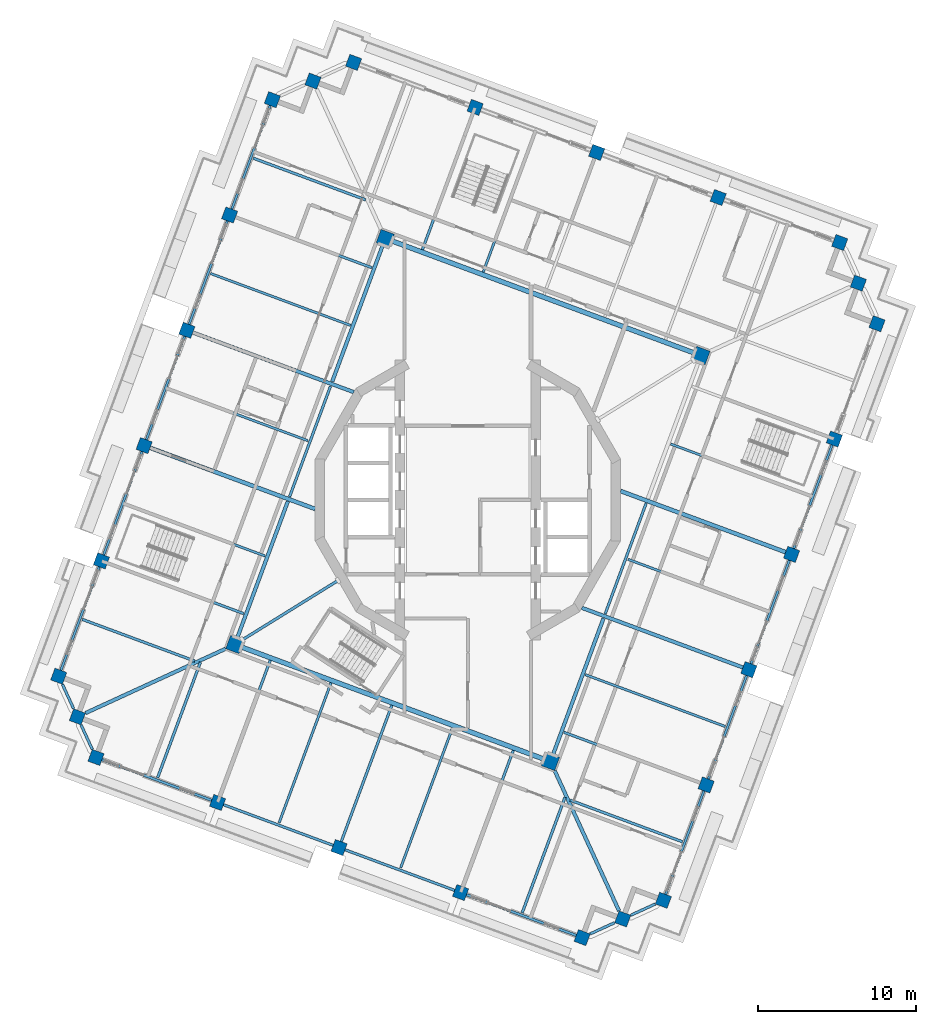
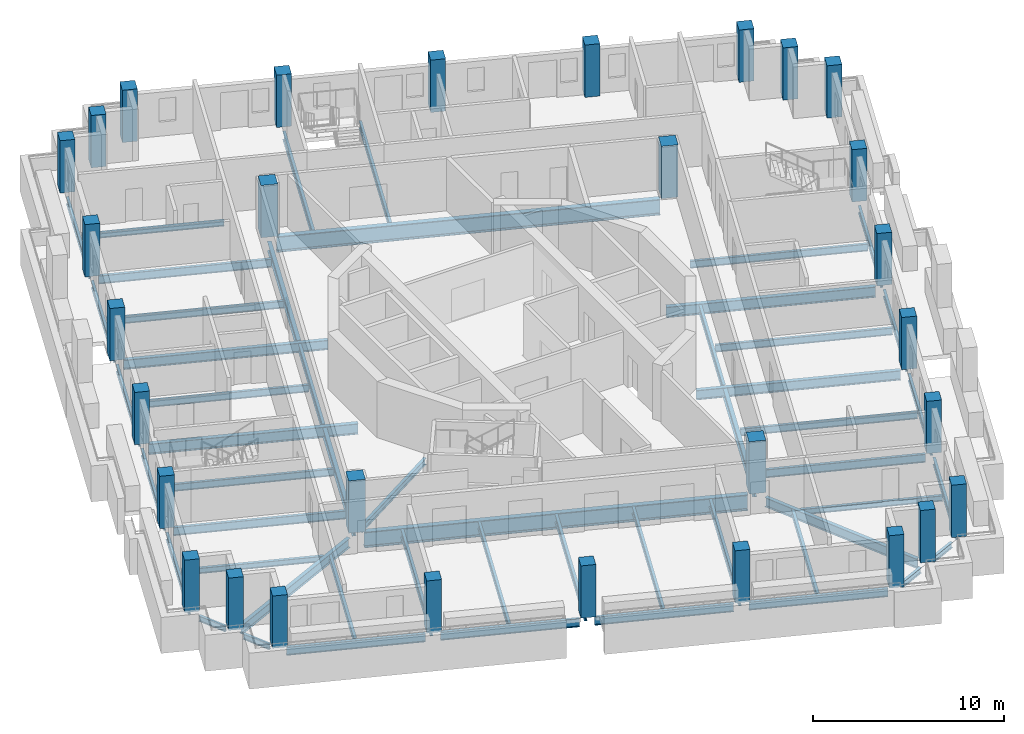
# One storey, part 1 of 18: 52 beams, 30 columns.
"""IFC4 building model written with IfcOpenShell, lengths in metres."""

from ifc_helpers import new_model, si_unit, direction, frame, origin, origin_2d, place, context, subcontext, project, spatial, rectangle, i_section, extrude, material, material_profile, profile_set, type_object, element, save


model = new_model("IFC4")

# Units and contexts
model_context = context("Model", 3, precision=1e-05, world=origin(), true_north=direction((0.0, 1.0)))
body_context = subcontext(model_context, "Body", "Model", "MODEL_VIEW")
ifc_project = project(units=[si_unit("LENGTHUNIT", "METRE"), si_unit("AREAUNIT", "SQUARE_METRE"), si_unit("VOLUMEUNIT", "CUBIC_METRE"), si_unit("PLANEANGLEUNIT", "RADIAN"), si_unit("MASSUNIT", "GRAM", prefix="KILO")], contexts=[model_context])

# Site, building, storey
site_placement = place(None, origin())
site = spatial("IfcSite", under=ifc_project, at=site_placement, CompositionType="ELEMENT")
building_placement = place(site_placement, origin())
building = spatial("IfcBuilding", under=site, at=building_placement, Name="Cantera Rosa Tower", CompositionType="ELEMENT")
storey_placement = place(building_placement, frame((0.0, 0.0, 316.89990234375)))
storey = spatial("IfcBuildingStorey", under=building, at=storey_placement, Name="L70", CompositionType="ELEMENT", Elevation=316.89990234375)

# Columns
ifc_material_1 = material(Name="Concrete C50/60", Category="concrete")
ifc_material_profile_1 = material_profile(ifc_material_1, rectangle(XDim=0.800048828125, YDim=0.800048828125, at=origin_2d()), Name="RC COLUMN RC800X800 C50/60")
ifc_profile_set_1 = profile_set([ifc_material_profile_1], Name="Concrete C50/60")
column_type_1 = type_object("IfcColumnType", Name="RC COLUMN RC800X800 C50/60", PredefinedType="COLUMN", material=ifc_profile_set_1)
for number, where, z_axis, x_axis, name in (
    (1, (23.526611328125, 16.2900390625, 0.0), (0.0, 0.0, 1.0), (0.347481234489, 0.937686936924, 0.0), "C-Z6-01 L70"),
    (2, (15.83740234375, 19.139404296875, 0.0), (0.0, 0.0, 1.0), (0.347481234489, 0.937686936924, 0.0), "C-Z6-02 L70"),
    (3, (8.1484375, 21.98876953125, 0.0), (0.0, 0.0, 1.0), (0.347481234489, 0.937686936924, 0.0), "C-Z6-03 L70"),
    (4, (0.45947265625, 24.838134765625, 0.0), (0.0, 0.0, 1.0), (0.347481234489, 0.937686936924, 0.0), "C-Z6-04 L70"),
    (5, (-7.229736328125, 27.6875, 0.0), (0.0, 0.0, 1.0), (0.347481234489, 0.937686936924, 0.0), "C-Z6-05 L70"),
    (6, (-9.800048828125, 26.507080078125, 0.0), (0.0, 0.0, 1.0), (0.347481234489, 0.937686936924, 0.0), "C-Z6-06 L70"),
    (7, (-12.370361328125, 25.32666015625, 0.0), (0.0, 0.0, 1.0), (0.347481234489, 0.937686936924, 0.0), "C-Z6-07 L70"),
    (8, (-15.07373046875, 18.031494140625, 0.0), (0.0, 0.0, 1.0), (0.347481234489, 0.937686936924, 0.0), "C-Z6-08 L70"),
    (9, (-17.777099609375, 10.736328125, 0.0), (0.0, 0.0, 1.0), (0.347481234489, 0.937686936924, 0.0), "C-Z6-09 L70"),
    (10, (-20.48046875, 3.44091796875, 0.0), (0.0, 0.0, 1.0), (0.347481234489, 0.937686936924, 0.0), "C-Z6-10 L70"),
    (11, (-23.183837890625, -3.854248046875, 0.0), (0.0, 0.0, 1.0), (0.347481234489, 0.937686936924, 0.0), "C-Z6-11 L70"),
    (12, (-25.88720703125, -11.1494140625, 0.0), (0.0, 0.0, 1.0), (0.347481234489, 0.937686936924, 0.0), "C-Z6-12 L70"),
    (13, (-24.70703125, -13.7197265625, 0.0), (0.0, 0.0, 1.0), (0.347481234489, 0.937686936924, 0.0), "C-Z6-13 L70"),
    (14, (-23.526611328125, -16.2900390625, 0.0), (0.0, 0.0, 1.0), (0.347481234489, 0.937686936924, 0.0), "C-Z6-14 L70"),
    (15, (-15.83740234375, -19.139404296875, 0.0), (0.0, 0.0, 1.0), (0.347481234489, 0.937686936924, 0.0), "C-Z6-15 L70"),
    (16, (-8.1484375, -21.98876953125, 0.0), (0.0, 0.0, 1.0), (0.347481234489, 0.937686936924, 0.0), "C-Z6-16 L70"),
    (17, (-0.45947265625, -24.838134765625, 0.0), (0.0, 0.0, 1.0), (0.347481234489, 0.937686936924, 0.0), "C-Z6-17 L70"),
    (18, (7.229736328125, -27.6875, 0.0), (0.0, 0.0, 1.0), (0.347481234489, 0.937686936924, 0.0), "C-Z6-18 L70"),
    (19, (9.800048828125, -26.507080078125, 0.0), (0.0, 0.0, 1.0), (0.347481234489, 0.937686936924, 0.0), "C-Z6-19 L70"),
    (20, (12.370361328125, -25.32666015625, 0.0), (0.0, 0.0, 1.0), (0.347481234489, 0.937686936924, 0.0), "C-Z6-20 L70"),
    (21, (15.07373046875, -18.031494140625, 0.0), (0.0, 0.0, 1.0), (0.347481234489, 0.937686936924, 0.0), "C-Z6-21 L70"),
    (22, (17.777099609375, -10.736328125, 0.0), (0.0, 0.0, 1.0), (0.347481234489, 0.937686936924, 0.0), "C-Z6-22 L70"),
    (23, (20.48046875, -3.44091796875, 0.0), (0.0, 0.0, 1.0), (0.347481234489, 0.937686936924, 0.0), "C-Z6-23 L70"),
    (24, (23.183837890625, 3.854248046875, 0.0), (0.0, 0.0, 1.0), (0.347481234489, 0.937686936924, 0.0), "C-Z6-24 L70"),
    (25, (25.88720703125, 11.1494140625, 0.0), (0.0, 0.0, 1.0), (0.347481234489, 0.937686936924, 0.0), "C-Z6-25 L70"),
    (26, (24.70703125, 13.7197265625, 0.0), (0.0, 0.0, 1.0), (0.347481234489, 0.937686936924, 0.0), "C-Z6-26 L70"),
):
    element("IfcColumn", number, at=place(storey_placement, frame(where, z_axis=z_axis, x_axis=x_axis)), inside=storey, type_object=column_type_1, Name=name, PredefinedType="COLUMN", context=body_context, shape_type="SweptSolid", body=[
        extrude(rectangle(XDim=0.800048828125, YDim=0.800048828125, at=origin_2d()), origin(), (0.0, 0.0, 1.0), 3.35009765625),
    ])
ifc_material_2 = material(Name="Concrete C50/60", Category="concrete")
ifc_material_profile_2 = material_profile(ifc_material_2, rectangle(XDim=0.89990234375, YDim=0.89990234375, at=origin_2d()), Name="RC RING COLUMN RC900X900 C50/60")
ifc_profile_set_2 = profile_set([ifc_material_profile_2], Name="Concrete C50/60")
column_type_2 = type_object("IfcColumnType", Name="RC RING COLUMN RC900X900 C50/60", PredefinedType="COLUMN", material=ifc_profile_set_2)
for number, where, z_axis, x_axis, name in (
    (27, (-5.225830078125, 16.546875, 0.0), (0.0, 0.0, 1.0), (0.347481234489, 0.937686936924, 0.0), "CI-Z6-1 L70"),
    (28, (-14.746826171875, -9.145751953125, 0.0), (0.0, 0.0, 1.0), (0.347481234489, 0.937686936924, 0.0), "CI-Z6-2 L70"),
    (29, (5.225830078125, -16.546875, 0.0), (0.0, 0.0, 1.0), (0.347481234489, 0.937686936924, 0.0), "CI-Z6-3 L70"),
    (30, (14.746826171875, 9.145751953125, 0.0), (0.0, 0.0, 1.0), (0.347481234489, 0.937686936924, 0.0), "CI-Z6-4 L70"),
):
    element("IfcColumn", number, at=place(storey_placement, frame(where, z_axis=z_axis, x_axis=x_axis)), inside=storey, type_object=column_type_2, Name=name, PredefinedType="COLUMN", context=body_context, shape_type="SweptSolid", body=[
        extrude(rectangle(XDim=0.89990234375, YDim=0.89990234375, at=origin_2d()), origin(), (0.0, 0.0, 1.0), 3.35009765625),
    ])

# Beams
ifc_material_3 = material(Name="Steel ASTM A992 (Fy 345 MPa)", Category="steel")
ifc_material_profile_3 = material_profile(ifc_material_3, i_section(OverallWidth=0.302001953125, OverallDepth=1.010009765625, WebThickness=0.02099609375, FlangeThickness=0.0400390625, FilletRadius=0.030029296875, at=origin_2d()), Name="W1000X350")
ifc_profile_set_3 = profile_set([ifc_material_profile_3], Name="Steel ASTM A992 (Fy 345 MPa)")
beam_type_1 = type_object("IfcBeamType", Name="STEEL BEAM W1000X350", PredefinedType="BEAM", material=ifc_profile_set_3)
for number, where, z_axis, x_axis, name in (
    (31, (14.324951171875, 9.302001953125, -0.7548828125), (-0.937687392162, 0.347480006017, 0.0), (-0.347480006017, -0.937687392162, 0.0), "RB-Z6-07 L70"),
    (32, (4.803955078125, -16.390625, -0.7548828125), (-0.937687392162, 0.347480006017, 0.0), (-0.347480006017, -0.937687392162, 0.0), "RB-Z6-08 L70"),
):
    element("IfcBeam", number, at=place(storey_placement, frame(where, z_axis=z_axis, x_axis=x_axis)), inside=storey, type_object=beam_type_1, Name=name, PredefinedType="BEAM", context=body_context, shape_type="SweptSolid", body=[
        extrude(i_section(OverallWidth=0.302001953125, OverallDepth=1.010009765625, WebThickness=0.02099609375, FlangeThickness=0.0400390625, FilletRadius=0.030029296875, at=origin_2d()), origin(), (0.0, 0.0, 1.0), 20.400146484375),
    ])
ifc_material_4 = material(Name="Steel ASTM A992 (Fy 345 MPa)", Category="steel")
ifc_material_profile_4 = material_profile(ifc_material_4, i_section(OverallWidth=0.177978515625, OverallDepth=0.406005859375, WebThickness=0.0078125, FlangeThickness=0.0126953125, FilletRadius=0.01025390625, at=origin_2d()), Name="W410X60")
ifc_profile_set_4 = profile_set([ifc_material_profile_4], Name="Steel ASTM A992 (Fy 345 MPa)")
beam_type_2 = type_object("IfcBeamType", Name="STEEL BEAM W410X60", PredefinedType="BEAM", material=ifc_profile_set_4)
beam_1_placement = place(storey_placement, frame((-14.262451171875, -8.84521484375, -0.452880859375), z_axis=(0.849840939707, 0.527039255841, 0.0), x_axis=(-0.527039255841, 0.849840939707, 0.0)))
element("IfcBeam", 33, at=beam_1_placement, inside=storey, type_object=beam_type_2, Name="PG-Z6-01 L70", PredefinedType="BEAM", context=body_context, shape_type="SweptSolid", body=[
    extrude(i_section(OverallWidth=0.177978515625, OverallDepth=0.406005859375, WebThickness=0.0078125, FlangeThickness=0.0126953125, FilletRadius=0.01025390625, at=origin_2d()), origin(), (0.0, 0.0, 1.0), 7.118408203125),
])
ifc_material_5 = material(Name="Steel ASTM A992 (Fy 345 MPa)", Category="steel")
ifc_material_profile_5 = material_profile(ifc_material_5, i_section(OverallWidth=0.166015625, OverallDepth=0.528076171875, WebThickness=0.009765625, FlangeThickness=0.013671875, FilletRadius=0.0126953125, at=origin_2d()), Name="W530X74")
ifc_profile_set_5 = profile_set([ifc_material_profile_5], Name="Steel ASTM A992 (Fy 345 MPa)")
beam_type_3 = type_object("IfcBeamType", Name="STEEL BEAM W530X74", PredefinedType="BEAM", material=ifc_profile_set_5)
for number, where, z_axis, x_axis, name in (
    (34, (0.3203125, 24.463134765625, -0.513916015625), (-0.347476838353, -0.937688566, 0.0), (0.937688566, -0.347476838353, 0.0), "G-Z6-03 L70"),
    (35, (-14.69873046875, 17.892333984375, -0.513916015625), (0.937688566, -0.347476838353, 0.0), (0.347476838353, 0.937688566, 0.0), "G-Z6-04 L70"),
    (36, (-22.808837890625, -3.9931640625, -0.513916015625), (0.937688566, -0.347476838353, 0.0), (0.347476838353, 0.937688566, 0.0), "G-Z6-07 L70"),
    (37, (14.69873046875, -17.892333984375, -0.513916015625), (-0.937688566, 0.347476838353, 0.0), (-0.347476838353, -0.937688566, 0.0), "G-Z6-08 L70"),
    (38, (-15.698486328125, -18.764404296875, -0.513916015625), (0.347476838353, 0.937688566, 0.0), (-0.937688566, 0.347476838353, 0.0), "G-Z6-12 L70"),
    (39, (-8.009521484375, -21.61376953125, -0.513916015625), (0.34750017104, 0.937679919337, 0.0), (-0.937679919337, 0.34750017104, 0.0), "G-Z6-13 L70"),
    (40, (-0.3203125, -24.463134765625, -0.513916015625), (0.347476838353, 0.937688566, 0.0), (-0.937688566, 0.347476838353, 0.0), "G-Z6-14 L70"),
):
    element("IfcBeam", number, at=place(storey_placement, frame(where, z_axis=z_axis, x_axis=x_axis)), inside=storey, type_object=beam_type_3, Name=name, PredefinedType="BEAM", context=body_context, shape_type="SweptSolid", body=[
        extrude(i_section(OverallWidth=0.166015625, OverallDepth=0.528076171875, WebThickness=0.009765625, FlangeThickness=0.013671875, FilletRadius=0.0126953125, at=origin_2d()), origin(), (0.0, 0.0, 1.0), 9.199951171875),
    ])
for number, where, z_axis, x_axis, name in (
    (41, (-11.285888671875, 0.19384765625, -0.513916015625), (0.347486566882, 0.937684960867, 0.0), (-0.937684960867, 0.347486566882, 0.0), "RB-Z6-02 L70"),
    (42, (8.686767578125, -7.20751953125, -0.513916015625), (0.347486566882, 0.937684960867, 0.0), (-0.937684960867, 0.347486566882, 0.0), "RB-Z6-05 L70"),
):
    element("IfcBeam", number, at=place(storey_placement, frame(where, z_axis=z_axis, x_axis=x_axis)), inside=storey, type_object=beam_type_3, Name=name, PredefinedType="BEAM", context=body_context, shape_type="SweptSolid", body=[
        extrude(i_section(OverallWidth=0.166015625, OverallDepth=0.528076171875, WebThickness=0.009765625, FlangeThickness=0.013671875, FilletRadius=0.0126953125, at=origin_2d()), origin(), (0.0, 0.0, 1.0), 7.479736328125),
    ])
ifc_material_6 = material(Name="Steel ASTM A992 (Fy 345 MPa)", Category="steel")
ifc_material_profile_6 = material_profile(ifc_material_6, i_section(OverallWidth=0.22802734375, OverallDepth=0.60205078125, WebThickness=0.010498046875, FlangeThickness=0.014892578125, FilletRadius=0.0126953125, at=origin_2d()), Name="W610X101")
ifc_profile_set_6 = profile_set([ifc_material_profile_6], Name="Steel ASTM A992 (Fy 345 MPa)")
beam_type_4 = type_object("IfcBeamType", Name="STEEL BEAM W610X101", PredefinedType="BEAM", material=ifc_profile_set_6)
for number, where, z_axis, x_axis, name in (
    (43, (-24.19287109375, -13.483642578125, -0.55078125), (0.908747889595, 0.417345508131, 0.0), (-0.417345508131, 0.908747889595, 0.0), "CB-Z6-02 L70"),
    (44, (9.56396484375, -25.992919921875, -0.55078125), (-0.417345508131, 0.908747889595, 0.0), (-0.908747889595, -0.417345508131, 0.0), "CB-Z6-03 L70"),
):
    element("IfcBeam", number, at=place(storey_placement, frame(where, z_axis=z_axis, x_axis=x_axis)), inside=storey, type_object=beam_type_4, Name=name, PredefinedType="BEAM", context=body_context, shape_type="SweptSolid", body=[
        extrude(i_section(OverallWidth=0.22802734375, OverallDepth=0.60205078125, WebThickness=0.010498046875, FlangeThickness=0.014892578125, FilletRadius=0.0126953125, at=origin_2d()), origin(), (0.0, 0.0, 1.0), 9.758056640625),
    ])
for number, where, z_axis, x_axis, name in (
    (45, (-14.590576171875, -8.7236328125, -0.55078125), (0.347498244979, 0.937680633125, 0.0), (-0.937680633125, 0.347498244979, 0.0), "RB-Z6-01 L70"),
    (46, (-8.58251953125, 7.489013671875, -0.55078125), (0.347474937304, 0.937689270465, 0.0), (-0.937689270465, 0.347474937304, 0.0), "RB-Z6-03 L70"),
    (47, (5.38232421875, -16.125, -0.55078125), (0.347474937304, 0.937689270465, 0.0), (-0.937689270465, 0.347474937304, 0.0), "RB-Z6-04 L70"),
):
    element("IfcBeam", number, at=place(storey_placement, frame(where, z_axis=z_axis, x_axis=x_axis)), inside=storey, type_object=beam_type_4, Name=name, PredefinedType="BEAM", context=body_context, shape_type="SweptSolid", body=[
        extrude(i_section(OverallWidth=0.22802734375, OverallDepth=0.60205078125, WebThickness=0.010498046875, FlangeThickness=0.014892578125, FilletRadius=0.0126953125, at=origin_2d()), origin(), (0.0, 0.0, 1.0), 9.2099609375),
    ])
ifc_material_7 = material(Name="Steel ASTM A992 (Fy 345 MPa)", Category="steel")
ifc_material_profile_7 = material_profile(ifc_material_7, i_section(OverallWidth=0.22900390625, OverallDepth=0.612060546875, WebThickness=0.011962890625, FlangeThickness=0.01953125, FilletRadius=0.0126953125, at=origin_2d()), Name="W610X125")
ifc_profile_set_7 = profile_set([ifc_material_profile_7], Name="Steel ASTM A992 (Fy 345 MPa)")
beam_type_5 = type_object("IfcBeamType", Name="STEEL BEAM W610X125", PredefinedType="BEAM", material=ifc_profile_set_7)
for number, where, z_axis, x_axis, name in (
    (48, (-17.402099609375, 10.59716796875, -0.555908203125), (0.937686127687, -0.347483418229, 0.0), (0.347483418229, 0.937686127687, 0.0), "G-Z6-05 L70"),
    (49, (17.402099609375, -10.59716796875, -0.555908203125), (-0.937686127687, 0.347483418229, 0.0), (-0.347483418229, -0.937686127687, 0.0), "G-Z6-09 L70"),
):
    element("IfcBeam", number, at=place(storey_placement, frame(where, z_axis=z_axis, x_axis=x_axis)), inside=storey, type_object=beam_type_5, Name=name, PredefinedType="BEAM", context=body_context, shape_type="SweptSolid", body=[
        extrude(i_section(OverallWidth=0.22900390625, OverallDepth=0.612060546875, WebThickness=0.011962890625, FlangeThickness=0.01953125, FilletRadius=0.0126953125, at=origin_2d()), origin(), (0.0, 0.0, 1.0), 10.8642578125),
    ])
ifc_material_8 = material(Name="Steel ASTM A992 (Fy 345 MPa)", Category="steel")
ifc_material_profile_8 = material_profile(ifc_material_8, i_section(OverallWidth=0.25390625, OverallDepth=0.677978515625, WebThickness=0.01171875, FlangeThickness=0.016357421875, FilletRadius=0.01513671875, at=origin_2d()), Name="W690X125")
ifc_profile_set_8 = profile_set([ifc_material_profile_8], Name="Steel ASTM A992 (Fy 345 MPa)")
beam_type_6 = type_object("IfcBeamType", Name="STEEL BEAM W690X125", PredefinedType="BEAM", material=ifc_profile_set_8)
for number, where, z_axis, x_axis, name in (
    (50, (-20.10546875, 3.302001953125, -0.5888671875), (0.937687416585, -0.347479940109, 0.0), (0.347479940109, 0.937687416585, 0.0), "G-Z6-06 L70"),
    (51, (20.10546875, -3.302001953125, -0.5888671875), (-0.937687416585, 0.347479940109, 0.0), (-0.347479940109, -0.937687416585, 0.0), "G-Z6-10 L70"),
):
    element("IfcBeam", number, at=place(storey_placement, frame(where, z_axis=z_axis, x_axis=x_axis)), inside=storey, type_object=beam_type_6, Name=name, PredefinedType="BEAM", context=body_context, shape_type="SweptSolid", body=[
        extrude(i_section(OverallWidth=0.25390625, OverallDepth=0.677978515625, WebThickness=0.01171875, FlangeThickness=0.016357421875, FilletRadius=0.01513671875, at=origin_2d()), origin(), (0.0, 0.0, 1.0), 11.140380859375),
    ])
ifc_material_9 = material(Name="Steel ASTM A992 (Fy 345 MPa)", Category="steel")
ifc_material_profile_9 = material_profile(ifc_material_9, i_section(OverallWidth=0.1708984375, OverallDepth=0.35595703125, WebThickness=0.00732421875, FlangeThickness=0.01171875, FilletRadius=0.010009765625, at=origin_2d()), Name="W360X51")
ifc_profile_set_9 = profile_set([ifc_material_profile_9], Name="Steel ASTM A992 (Fy 345 MPa)")
beam_type_7 = type_object("IfcBeamType", Name="STEEL JOIST W360X51", PredefinedType="JOIST", material=ifc_profile_set_9)
beam_2_placement = place(storey_placement, frame((-13.581298828125, 21.626953125, -0.427978515625), z_axis=(0.93768239316, -0.347493495705, 0.0), x_axis=(0.347493495705, 0.93768239316, 0.0)))
element("IfcBeam", 52, at=beam_2_placement, inside=storey, type_object=beam_type_7, Name="B-Z6-05 L70", PredefinedType="JOIST", context=body_context, shape_type="SweptSolid", body=[
    extrude(i_section(OverallWidth=0.1708984375, OverallDepth=0.35595703125, WebThickness=0.00732421875, FlangeThickness=0.01171875, FilletRadius=0.010009765625, at=origin_2d()), origin(), (0.0, 0.0, 1.0), 7.58984375),
])
beam_3_placement = place(storey_placement, frame((-24.39501953125, -7.553955078125, -0.427978515625), z_axis=(0.937686277131, -0.347483014951, 0.0), x_axis=(0.347483014951, 0.937686277131, 0.0)))
element("IfcBeam", 53, at=beam_3_placement, inside=storey, type_object=beam_type_7, Name="B-Z6-09 L70", PredefinedType="JOIST", context=body_context, shape_type="SweptSolid", body=[
    extrude(i_section(OverallWidth=0.1708984375, OverallDepth=0.35595703125, WebThickness=0.00732421875, FlangeThickness=0.01171875, FilletRadius=0.010009765625, at=origin_2d()), origin(), (0.0, 0.0, 1.0), 7.590087890625),
])
beam_4_placement = place(storey_placement, frame((13.581298828125, -21.626953125, -0.427978515625), z_axis=(-0.93768239316, 0.347493495705, 0.0), x_axis=(-0.347493495705, -0.93768239316, 0.0)))
element("IfcBeam", 54, at=beam_4_placement, inside=storey, type_object=beam_type_7, Name="B-Z6-10 L70", PredefinedType="JOIST", context=body_context, shape_type="SweptSolid", body=[
    extrude(i_section(OverallWidth=0.1708984375, OverallDepth=0.35595703125, WebThickness=0.00732421875, FlangeThickness=0.01171875, FilletRadius=0.010009765625, at=origin_2d()), origin(), (0.0, 0.0, 1.0), 7.58984375),
])
for number, where, z_axis, x_axis, name in (
    (55, (-19.6298828125, -17.573974609375, -0.427978515625), (0.347491728417, 0.937683048093, 0.0), (-0.937683048093, 0.347491728417, 0.0), "B-Z6-15 L70"),
    (56, (3.437255859375, -26.1220703125, -0.427978515625), (0.347491728417, 0.937683048093, 0.0), (-0.937683048093, 0.347491728417, 0.0), "B-Z6-18 L70"),
):
    element("IfcBeam", number, at=place(storey_placement, frame(where, z_axis=z_axis, x_axis=x_axis)), inside=storey, type_object=beam_type_7, Name=name, PredefinedType="JOIST", context=body_context, shape_type="SweptSolid", body=[
        extrude(i_section(OverallWidth=0.1708984375, OverallDepth=0.35595703125, WebThickness=0.00732421875, FlangeThickness=0.01171875, FilletRadius=0.010009765625, at=origin_2d()), origin(), (0.0, 0.0, 1.0), 7.800048828125),
    ])
ifc_material_10 = material(Name="Steel ASTM A992 (Fy 345 MPa)", Category="steel")
ifc_material_profile_10 = material_profile(ifc_material_10, i_section(OverallWidth=0.154052734375, OverallDepth=0.4599609375, WebThickness=0.009033203125, FlangeThickness=0.015380859375, FilletRadius=0.01025390625, at=origin_2d()), Name="W460X68")
ifc_profile_set_10 = profile_set([ifc_material_profile_10], Name="Steel ASTM A992 (Fy 345 MPa)")
beam_type_8 = type_object("IfcBeamType", Name="STEEL JOIST W460X68", PredefinedType="JOIST", material=ifc_profile_set_10)
for number, where, z_axis, x_axis, name in (
    (57, (4.251708984375, 23.272705078125, -0.47998046875), (-0.347482637031, -0.937686417179, 0.0), (0.937686417179, -0.347482637031, 0.0), "B-Z6-03 L70"),
    (58, (-16.28466796875, 14.331787109375, -0.47998046875), (0.937686417179, -0.347482637031, 0.0), (0.347482637031, 0.937686417179, 0.0), "B-Z6-06 L70"),
):
    element("IfcBeam", number, at=place(storey_placement, frame(where, z_axis=z_axis, x_axis=x_axis)), inside=storey, type_object=beam_type_8, Name=name, PredefinedType="JOIST", context=body_context, shape_type="SweptSolid", body=[
        extrude(i_section(OverallWidth=0.154052734375, OverallDepth=0.4599609375, WebThickness=0.009033203125, FlangeThickness=0.015380859375, FilletRadius=0.01025390625, at=origin_2d()), origin(), (0.0, 0.0, 1.0), 9.449951171875),
    ])
for number, where, z_axis, x_axis, name in (
    (59, (-18.98828125, 7.036376953125, -0.47998046875), (0.937689536508, -0.347474219364, 0.0), (0.347474219364, 0.937689536508, 0.0), "B-Z6-07 L70"),
    (60, (-21.691650390625, -0.2587890625, -0.47998046875), (0.937689536508, -0.347474219364, 0.0), (0.347474219364, 0.937689536508, 0.0), "B-Z6-08 L70"),
):
    element("IfcBeam", number, at=place(storey_placement, frame(where, z_axis=z_axis, x_axis=x_axis)), inside=storey, type_object=beam_type_8, Name=name, PredefinedType="JOIST", context=body_context, shape_type="SweptSolid", body=[
        extrude(i_section(OverallWidth=0.154052734375, OverallDepth=0.4599609375, WebThickness=0.009033203125, FlangeThickness=0.015380859375, FilletRadius=0.01025390625, at=origin_2d()), origin(), (0.0, 0.0, 1.0), 9.4501953125),
    ])
beam_5_placement = place(storey_placement, frame((16.28466796875, -14.331787109375, -0.47998046875), z_axis=(-0.937686417179, 0.347482637031, 0.0), x_axis=(-0.347482637031, -0.937686417179, 0.0)))
element("IfcBeam", 61, at=beam_5_placement, inside=storey, type_object=beam_type_8, Name="B-Z6-11 L70", PredefinedType="JOIST", context=body_context, shape_type="SweptSolid", body=[
    extrude(i_section(OverallWidth=0.154052734375, OverallDepth=0.4599609375, WebThickness=0.009033203125, FlangeThickness=0.015380859375, FilletRadius=0.01025390625, at=origin_2d()), origin(), (0.0, 0.0, 1.0), 9.449951171875),
])
for number, where, z_axis, x_axis, name in (
    (62, (18.98828125, -7.036376953125, -0.47998046875), (-0.937689536508, 0.347474219364, 0.0), (-0.347474219364, -0.937689536508, 0.0), "B-Z6-12 L70"),
    (63, (21.691650390625, 0.2587890625, -0.47998046875), (-0.937689536508, 0.347474219364, 0.0), (-0.347474219364, -0.937689536508, 0.0), "B-Z6-13 L70"),
):
    element("IfcBeam", number, at=place(storey_placement, frame(where, z_axis=z_axis, x_axis=x_axis)), inside=storey, type_object=beam_type_8, Name=name, PredefinedType="JOIST", context=body_context, shape_type="SweptSolid", body=[
        extrude(i_section(OverallWidth=0.154052734375, OverallDepth=0.4599609375, WebThickness=0.009033203125, FlangeThickness=0.015380859375, FilletRadius=0.01025390625, at=origin_2d()), origin(), (0.0, 0.0, 1.0), 9.4501953125),
    ])
for number, where, z_axis, x_axis, name in (
    (64, (-11.94091796875, -20.42333984375, -0.47998046875), (0.347482637031, 0.937686417179, 0.0), (-0.937686417179, 0.347482637031, 0.0), "B-Z6-16 L70"),
    (65, (-4.251708984375, -23.272705078125, -0.47998046875), (0.347482637031, 0.937686417179, 0.0), (-0.937686417179, 0.347482637031, 0.0), "B-Z6-17 L70"),
):
    element("IfcBeam", number, at=place(storey_placement, frame(where, z_axis=z_axis, x_axis=x_axis)), inside=storey, type_object=beam_type_8, Name=name, PredefinedType="JOIST", context=body_context, shape_type="SweptSolid", body=[
        extrude(i_section(OverallWidth=0.154052734375, OverallDepth=0.4599609375, WebThickness=0.009033203125, FlangeThickness=0.015380859375, FilletRadius=0.01025390625, at=origin_2d()), origin(), (0.0, 0.0, 1.0), 9.449951171875),
    ])
ifc_material_11 = material(Name="Steel ASTM A992 (Fy 345 MPa)", Category="steel")
ifc_material_profile_11 = material_profile(ifc_material_11, i_section(OverallWidth=0.1708984375, OverallDepth=0.35595703125, WebThickness=0.00732421875, FlangeThickness=0.01171875, FilletRadius=0.010009765625, at=origin_2d()), Name="W360X51")
ifc_profile_set_11 = profile_set([ifc_material_profile_11], Name="Steel ASTM A992 (Fy 345 MPa)")
beam_type_9 = type_object("IfcBeamType", Name="STEEL SPANDREL BEAM W360X51", PredefinedType="SPANDREL", material=ifc_profile_set_11)
for number, where, z_axis, x_axis, name in (
    (66, (-25.651123046875, -11.66357421875, -0.427978515625), (0.417268968709, -0.908783036677, 0.0), (0.908783036677, 0.417268968709, 0.0), "EB-Z6-12 L70"),
    (67, (-24.470947265625, -14.23388671875, -0.427978515625), (0.417387791404, -0.908728469669, 0.0), (0.908728469669, 0.417387791404, 0.0), "EB-Z6-13 L70"),
):
    element("IfcBeam", number, at=place(storey_placement, frame(where, z_axis=z_axis, x_axis=x_axis)), inside=storey, type_object=beam_type_9, Name=name, PredefinedType="SPANDREL", context=body_context, shape_type="SweptSolid", body=[
        extrude(i_section(OverallWidth=0.1708984375, OverallDepth=0.35595703125, WebThickness=0.00732421875, FlangeThickness=0.01171875, FilletRadius=0.010009765625, at=origin_2d()), origin(), (0.0, 0.0, 1.0), 1.69677734375),
    ])
for number, where, z_axis, x_axis, name in (
    (68, (7.74365234375, -27.451416015625, -0.427978515625), (0.908753529973, 0.417333226286, 0.0), (-0.417333226286, 0.908753529973, 0.0), "EB-Z6-18 L70"),
    (69, (10.31396484375, -26.27099609375, -0.427978515625), (0.908753529973, 0.417333226286, 0.0), (-0.417333226286, 0.908753529973, 0.0), "EB-Z6-19 L70"),
):
    element("IfcBeam", number, at=place(storey_placement, frame(where, z_axis=z_axis, x_axis=x_axis)), inside=storey, type_object=beam_type_9, Name=name, PredefinedType="SPANDREL", context=body_context, shape_type="SweptSolid", body=[
        extrude(i_section(OverallWidth=0.1708984375, OverallDepth=0.35595703125, WebThickness=0.00732421875, FlangeThickness=0.01171875, FilletRadius=0.010009765625, at=origin_2d()), origin(), (0.0, 0.0, 1.0), 1.697021484375),
    ])
ifc_material_12 = material(Name="Steel ASTM A992 (Fy 345 MPa)", Category="steel")
ifc_material_profile_12 = material_profile(ifc_material_12, i_section(OverallWidth=0.154052734375, OverallDepth=0.4599609375, WebThickness=0.009033203125, FlangeThickness=0.015380859375, FilletRadius=0.01025390625, at=origin_2d()), Name="W460X68")
ifc_profile_set_12 = profile_set([ifc_material_profile_12], Name="Steel ASTM A992 (Fy 345 MPa)")
beam_type_10 = type_object("IfcBeamType", Name="STEEL SPANDREL BEAM W460X68", PredefinedType="SPANDREL", material=ifc_profile_set_12)
beam_6_placement = place(storey_placement, frame((-12.50927734375, 24.95166015625, -0.47998046875), z_axis=(-0.347490919506, -0.937683347864, 0.0), x_axis=(0.937683347864, -0.347490919506, 0.0)))
element("IfcBeam", 70, at=beam_6_placement, inside=storey, type_object=beam_type_10, Name="EB-Z6-07 L70", PredefinedType="SPANDREL", context=body_context, shape_type="SweptSolid", body=[
    extrude(i_section(OverallWidth=0.154052734375, OverallDepth=0.4599609375, WebThickness=0.009033203125, FlangeThickness=0.015380859375, FilletRadius=0.01025390625, at=origin_2d()), origin(), (0.0, 0.0, 1.0), 6.980224609375),
])
for number, where, z_axis, x_axis, name in (
    (71, (-15.212646484375, 17.65625, -0.47998046875), (-0.347502316452, -0.937679124253, 0.0), (0.937679124253, -0.347502316452, 0.0), "EB-Z6-08 L70"),
    (72, (-17.916015625, 10.361083984375, -0.47998046875), (-0.347502316452, -0.937679124253, 0.0), (0.937679124253, -0.347502316452, 0.0), "EB-Z6-09 L70"),
):
    element("IfcBeam", number, at=place(storey_placement, frame(where, z_axis=z_axis, x_axis=x_axis)), inside=storey, type_object=beam_type_10, Name=name, PredefinedType="SPANDREL", context=body_context, shape_type="SweptSolid", body=[
        extrude(i_section(OverallWidth=0.154052734375, OverallDepth=0.4599609375, WebThickness=0.009033203125, FlangeThickness=0.015380859375, FilletRadius=0.01025390625, at=origin_2d()), origin(), (0.0, 0.0, 1.0), 6.97998046875),
    ])
beam_7_placement = place(storey_placement, frame((-20.61962890625, 3.06591796875, -0.47998046875), z_axis=(-0.347471562124, -0.937690521182, 0.0), x_axis=(0.937690521182, -0.347471562124, 0.0)))
element("IfcBeam", 73, at=beam_7_placement, inside=storey, type_object=beam_type_10, Name="EB-Z6-10 L70", PredefinedType="SPANDREL", context=body_context, shape_type="SweptSolid", body=[
    extrude(i_section(OverallWidth=0.154052734375, OverallDepth=0.4599609375, WebThickness=0.009033203125, FlangeThickness=0.015380859375, FilletRadius=0.01025390625, at=origin_2d()), origin(), (0.0, 0.0, 1.0), 6.979736328125),
])
beam_8_placement = place(storey_placement, frame((-23.322998046875, -4.229248046875, -0.47998046875), z_axis=(-0.347460165909, -0.937694744097, 0.0), x_axis=(0.937694744097, -0.347460165909, 0.0)))
element("IfcBeam", 74, at=beam_8_placement, inside=storey, type_object=beam_type_10, Name="EB-Z6-11 L70", PredefinedType="SPANDREL", context=body_context, shape_type="SweptSolid", body=[
    extrude(i_section(OverallWidth=0.154052734375, OverallDepth=0.4599609375, WebThickness=0.009033203125, FlangeThickness=0.015380859375, FilletRadius=0.01025390625, at=origin_2d()), origin(), (0.0, 0.0, 1.0), 6.97998046875),
])
beam_9_placement = place(storey_placement, frame((12.50927734375, -24.95166015625, -0.47998046875), z_axis=(0.347490919506, 0.937683347864, 0.0), x_axis=(-0.937683347864, 0.347490919506, 0.0)))
element("IfcBeam", 75, at=beam_9_placement, inside=storey, type_object=beam_type_10, Name="EB-Z6-20 L70", PredefinedType="SPANDREL", context=body_context, shape_type="SweptSolid", body=[
    extrude(i_section(OverallWidth=0.154052734375, OverallDepth=0.4599609375, WebThickness=0.009033203125, FlangeThickness=0.015380859375, FilletRadius=0.01025390625, at=origin_2d()), origin(), (0.0, 0.0, 1.0), 6.980224609375),
])
for number, where, z_axis, x_axis, name in (
    (76, (15.212646484375, -17.65625, -0.47998046875), (0.347502316452, 0.937679124253, 0.0), (-0.937679124253, 0.347502316452, 0.0), "EB-Z6-21 L70"),
    (77, (17.916015625, -10.361083984375, -0.47998046875), (0.347502316452, 0.937679124253, 0.0), (-0.937679124253, 0.347502316452, 0.0), "EB-Z6-22 L70"),
):
    element("IfcBeam", number, at=place(storey_placement, frame(where, z_axis=z_axis, x_axis=x_axis)), inside=storey, type_object=beam_type_10, Name=name, PredefinedType="SPANDREL", context=body_context, shape_type="SweptSolid", body=[
        extrude(i_section(OverallWidth=0.154052734375, OverallDepth=0.4599609375, WebThickness=0.009033203125, FlangeThickness=0.015380859375, FilletRadius=0.01025390625, at=origin_2d()), origin(), (0.0, 0.0, 1.0), 6.97998046875),
    ])
beam_10_placement = place(storey_placement, frame((20.61962890625, -3.06591796875, -0.47998046875), z_axis=(0.347471562124, 0.937690521182, 0.0), x_axis=(-0.937690521182, 0.347471562124, 0.0)))
element("IfcBeam", 78, at=beam_10_placement, inside=storey, type_object=beam_type_10, Name="EB-Z6-23 L70", PredefinedType="SPANDREL", context=body_context, shape_type="SweptSolid", body=[
    extrude(i_section(OverallWidth=0.154052734375, OverallDepth=0.4599609375, WebThickness=0.009033203125, FlangeThickness=0.015380859375, FilletRadius=0.01025390625, at=origin_2d()), origin(), (0.0, 0.0, 1.0), 6.979736328125),
])
ifc_material_13 = material(Name="Steel ASTM A992 (Fy 345 MPa)", Category="steel")
ifc_material_profile_13 = material_profile(ifc_material_13, i_section(OverallWidth=0.166015625, OverallDepth=0.528076171875, WebThickness=0.009765625, FlangeThickness=0.013671875, FilletRadius=0.0126953125, at=origin_2d()), Name="W530X74")
ifc_profile_set_13 = profile_set([ifc_material_profile_13], Name="Steel ASTM A992 (Fy 345 MPa)")
beam_type_11 = type_object("IfcBeamType", Name="STEEL SPANDREL BEAM W530X74", PredefinedType="SPANDREL", material=ifc_profile_set_13)
beam_11_placement = place(storey_placement, frame((-23.1513671875, -16.428955078125, -0.513916015625), z_axis=(0.937676706507, -0.347508840281, 0.0), x_axis=(0.347508840281, 0.937676706507, 0.0)))
element("IfcBeam", 79, at=beam_11_placement, inside=storey, type_object=beam_type_11, Name="EB-Z6-14 L70", PredefinedType="SPANDREL", context=body_context, shape_type="SweptSolid", body=[
    extrude(i_section(OverallWidth=0.166015625, OverallDepth=0.528076171875, WebThickness=0.009765625, FlangeThickness=0.013671875, FilletRadius=0.0126953125, at=origin_2d()), origin(), (0.0, 0.0, 1.0), 7.39990234375),
])
for number, where, z_axis, x_axis, name in (
    (80, (-15.46240234375, -19.2783203125, -0.513916015625), (0.937680690562, -0.34749808999, 0.0), (0.34749808999, 0.937680690562, 0.0), "EB-Z6-15 L70"),
    (81, (-7.7734375, -22.127685546875, -0.513916015625), (0.937680690562, -0.34749808999, 0.0), (0.34749808999, 0.937680690562, 0.0), "EB-Z6-16 L70"),
):
    element("IfcBeam", number, at=place(storey_placement, frame(where, z_axis=z_axis, x_axis=x_axis)), inside=storey, type_object=beam_type_11, Name=name, PredefinedType="SPANDREL", context=body_context, shape_type="SweptSolid", body=[
        extrude(i_section(OverallWidth=0.166015625, OverallDepth=0.528076171875, WebThickness=0.009765625, FlangeThickness=0.013671875, FilletRadius=0.0126953125, at=origin_2d()), origin(), (0.0, 0.0, 1.0), 7.400146484375),
    ])
beam_12_placement = place(storey_placement, frame((-0.084228515625, -24.97705078125, -0.513916015625), z_axis=(0.937687456783, -0.347479831633, 0.0), x_axis=(0.347479831633, 0.937687456783, 0.0)))
element("IfcBeam", 82, at=beam_12_placement, inside=storey, type_object=beam_type_11, Name="EB-Z6-17 L70", PredefinedType="SPANDREL", context=body_context, shape_type="SweptSolid", body=[
    extrude(i_section(OverallWidth=0.166015625, OverallDepth=0.528076171875, WebThickness=0.009765625, FlangeThickness=0.013671875, FilletRadius=0.0126953125, at=origin_2d()), origin(), (0.0, 0.0, 1.0), 7.39990234375),
])

save(model, "model.ifc")
